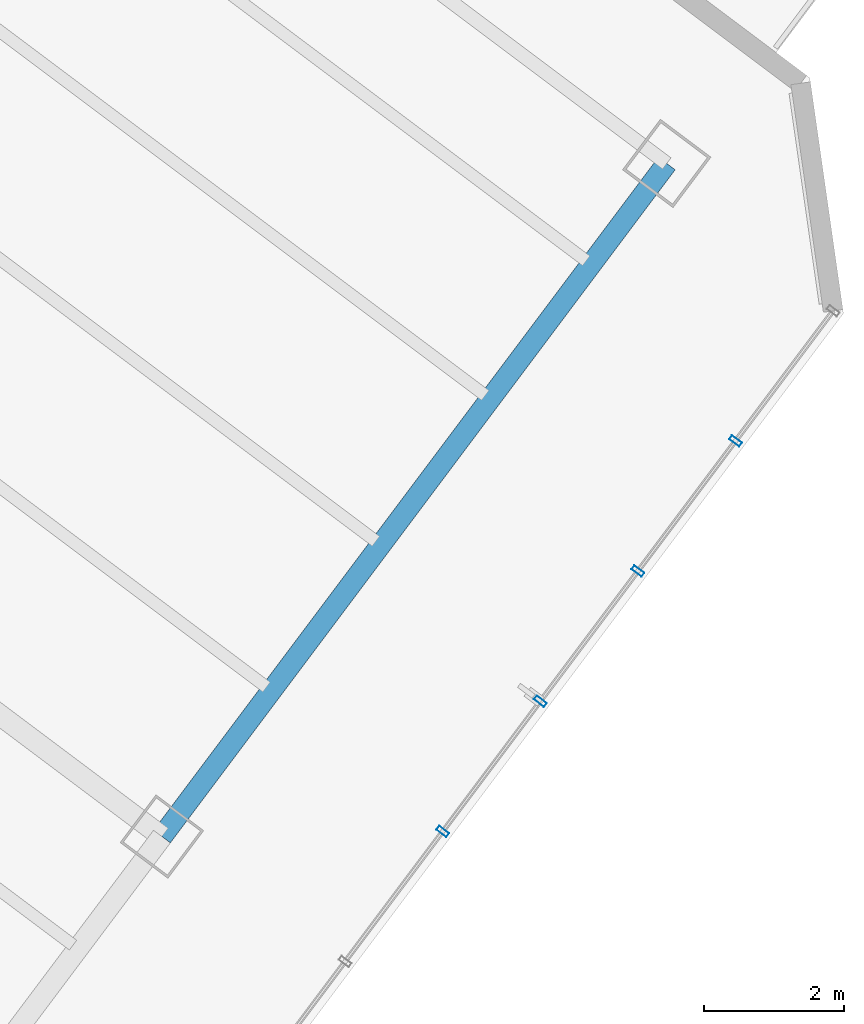
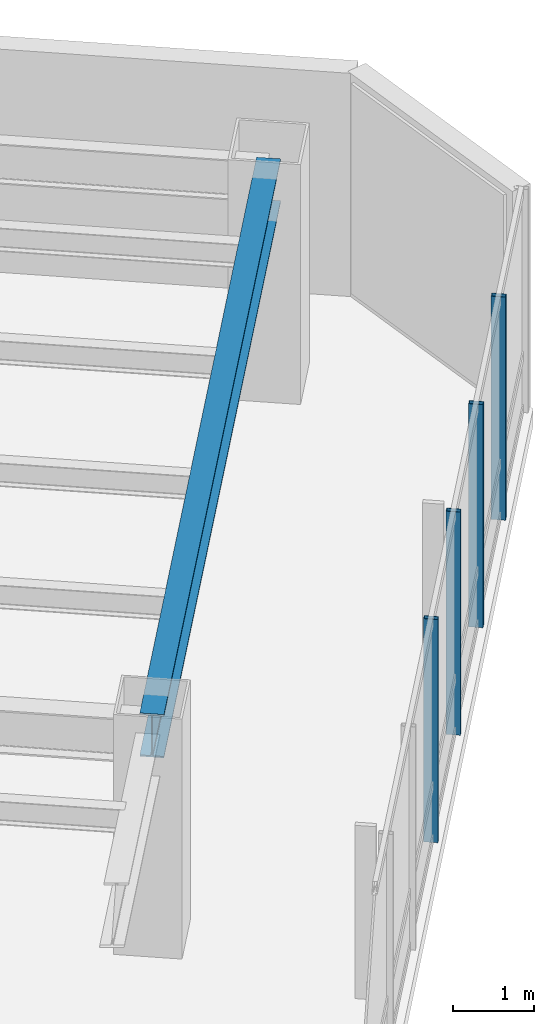
# One storey, part 10 of 29: 4 members, 1 beam, 1 element without a shape of its own.
"""IFC4 building model written with IfcOpenShell, lengths in metres."""

from ifc_helpers import new_model, si_unit, direction, frame, origin, origin_2d, place, context, subcontext, project, spatial, hollow_rectangle, i_section, extrude, material, layer, layer_set, material_profile, profile_set, type_object, element, aggregate, save


model = new_model("IFC4")

# Units and contexts
model_context = context("Model", 3, precision=1e-05, world=origin(), true_north=direction((0.0, 1.0)))
body_context = subcontext(model_context, "Body", "Model", "MODEL_VIEW")
ifc_project = project(units=[si_unit("LENGTHUNIT", "METRE"), si_unit("AREAUNIT", "SQUARE_METRE"), si_unit("VOLUMEUNIT", "CUBIC_METRE"), si_unit("PLANEANGLEUNIT", "RADIAN"), si_unit("MASSUNIT", "GRAM", prefix="KILO")], contexts=[model_context])

# Site, building, storey
site_placement = place(None, origin())
site = spatial("IfcSite", under=ifc_project, at=site_placement, CompositionType="ELEMENT")
building_placement = place(site_placement, origin())
building = spatial("IfcBuilding", under=site, at=building_placement, Name="Hatsunagi Terrace Concourse", CompositionType="ELEMENT")
storey_placement = place(building_placement, frame((0.0, 0.0, 104.85009765625)))
storey = spatial("IfcBuildingStorey", under=building, at=storey_placement, Name="L27", CompositionType="ELEMENT", Elevation=104.85009765625)

# Curtain wall, members
ifc_material_1 = material(Name="Anodised Aluminium Alloy 6063-T5", Category="aluminium")
ifc_layer = layer(ifc_material_1, 0.199951171875)
ifc_layer_set = layer_set([ifc_layer], Name="OfficeZone1_CW03")
curtain_wall_type = type_object("IfcCurtainWallType", Name="OfficeZone1_CW03", PredefinedType="NOTDEFINED", material=ifc_layer_set)
curtain_wall_placement = place(storey_placement, origin())
curtain_wall = element("IfcCurtainWall", 1, at=curtain_wall_placement, inside=storey, type_object=curtain_wall_type, Name="Unitised Curtain Wall CW-03 CW-L27-03", PredefinedType="NOTDEFINED")
ifc_material_2 = material(Name="Anodised Aluminium Alloy 6063-T5", Category="aluminium")
ifc_material_profile_1 = material_profile(ifc_material_2, hollow_rectangle(XDim=0.070068359375, YDim=0.179931640625, WallThickness=0.00390625, at=origin_2d()), Name="ALU-MUL-180x70x4")
ifc_profile_set_1 = profile_set([ifc_material_profile_1], Name="Anodised Aluminium Alloy 6063-T5")
member_type = type_object("IfcMemberType", Name="CurtainWallMullion_180x70", PredefinedType="MULLION", material=ifc_profile_set_1)
member_1_placement = place(storey_placement, frame((67.700927734375, 17.802001953125, 0.0), z_axis=(0.0, 0.0, 1.0), x_axis=(-0.599969314634, -0.800023013105, 0.0)))
member_1 = element("IfcMember", 2, at=member_1_placement, type_object=member_type, Name="Curtain Wall Mullion MUL-02", PredefinedType="MULLION", context=body_context, shape_type="SweptSolid", body=[
    extrude(hollow_rectangle(XDim=0.070068359375, YDim=0.179931640625, WallThickness=0.00390625, at=origin_2d()), origin(), (0.0, 0.0, 1.0), 3.349853515625),
])
member_2_placement = place(storey_placement, frame((66.30908203125, 15.945068359375, 0.0), z_axis=(0.0, 0.0, 1.0), x_axis=(-0.599969314634, -0.800023013105, 0.0)))
member_2 = element("IfcMember", 3, at=member_2_placement, type_object=member_type, Name="Curtain Wall Mullion MUL-02", PredefinedType="MULLION", context=body_context, shape_type="SweptSolid", body=[
    extrude(hollow_rectangle(XDim=0.070068359375, YDim=0.179931640625, WallThickness=0.00390625, at=origin_2d()), origin(), (0.0, 0.0, 1.0), 3.349853515625),
])
member_3_placement = place(storey_placement, frame((64.916015625, 14.089111328125, 0.0), z_axis=(0.0, 0.0, 1.0), x_axis=(-0.599969314634, -0.800023013105, 0.0)))
member_3 = element("IfcMember", 4, at=member_3_placement, type_object=member_type, Name="Curtain Wall Mullion MUL-02", PredefinedType="MULLION", context=body_context, shape_type="SweptSolid", body=[
    extrude(hollow_rectangle(XDim=0.070068359375, YDim=0.179931640625, WallThickness=0.00390625, at=origin_2d()), origin(), (0.0, 0.0, 1.0), 3.349853515625),
])
member_4_placement = place(storey_placement, frame((63.52392578125, 12.23193359375, 0.0), z_axis=(0.0, 0.0, 1.0), x_axis=(-0.599969314634, -0.800023013105, 0.0)))
member_4 = element("IfcMember", 5, at=member_4_placement, type_object=member_type, Name="Curtain Wall Mullion MUL-02", PredefinedType="MULLION", context=body_context, shape_type="SweptSolid", body=[
    extrude(hollow_rectangle(XDim=0.070068359375, YDim=0.179931640625, WallThickness=0.00390625, at=origin_2d()), origin(), (0.0, 0.0, 1.0), 3.349853515625),
])
aggregate(curtain_wall, [member_1, member_2, member_3, member_4])

# Beam
ifc_material_3 = material(Name="Steel SN490B", Category="steel")
ifc_material_profile_2 = material_profile(ifc_material_3, i_section(OverallWidth=0.300048828125, OverallDepth=0.64990234375, WebThickness=0.012939453125, FlangeThickness=0.02197265625, FilletRadius=0.01806640625, at=origin_2d()), Name="H-650x300x13x22")
ifc_profile_set_2 = profile_set([ifc_material_profile_2], Name="Steel SN490B")
beam_type = type_object("IfcBeamType", Name="OfficeLowGirder_H_650x300", PredefinedType="BEAM", material=ifc_profile_set_2)
beam_placement = place(storey_placement, frame((59.52001953125, 12.159912109375, 3.02490234375), z_axis=(0.59999348959, 0.800004882766, 0.0), x_axis=(-0.800004882766, 0.59999348959, 0.0)))
element("IfcBeam", 6, at=beam_placement, inside=storey, type_object=beam_type, Name="Beam G-05 BM-L27-SET-3B", PredefinedType="BEAM", context=body_context, shape_type="SweptSolid", body=[
    extrude(i_section(OverallWidth=0.300048828125, OverallDepth=0.64990234375, WebThickness=0.012939453125, FlangeThickness=0.02197265625, FilletRadius=0.01806640625, at=origin_2d()), origin(), (0.0, 0.0, 1.0), 12.0),
])

save(model, "model.ifc")
